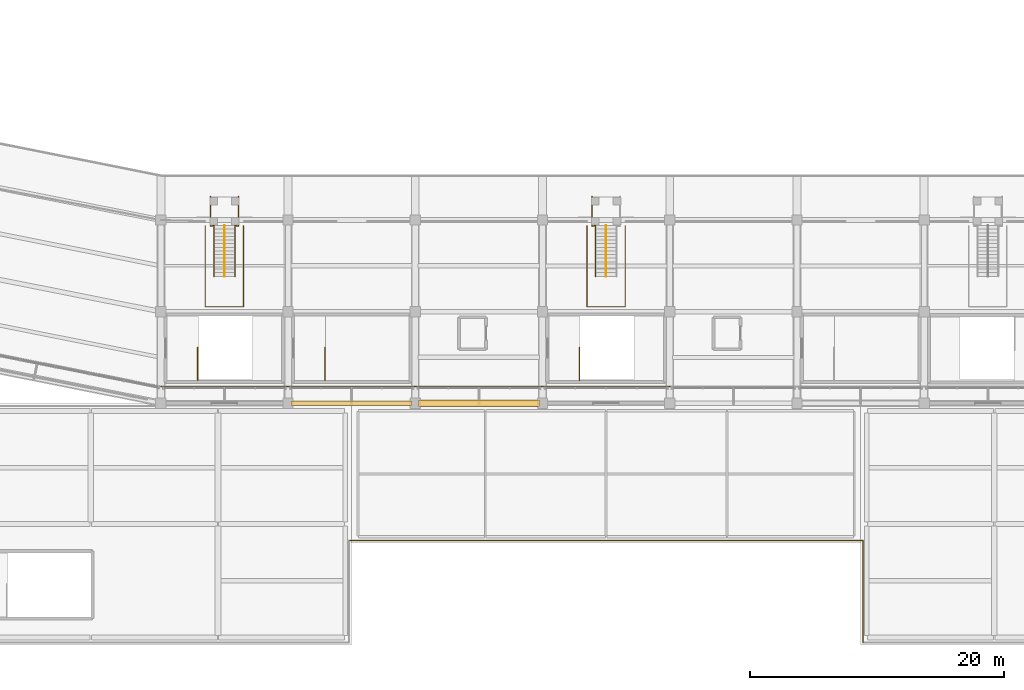
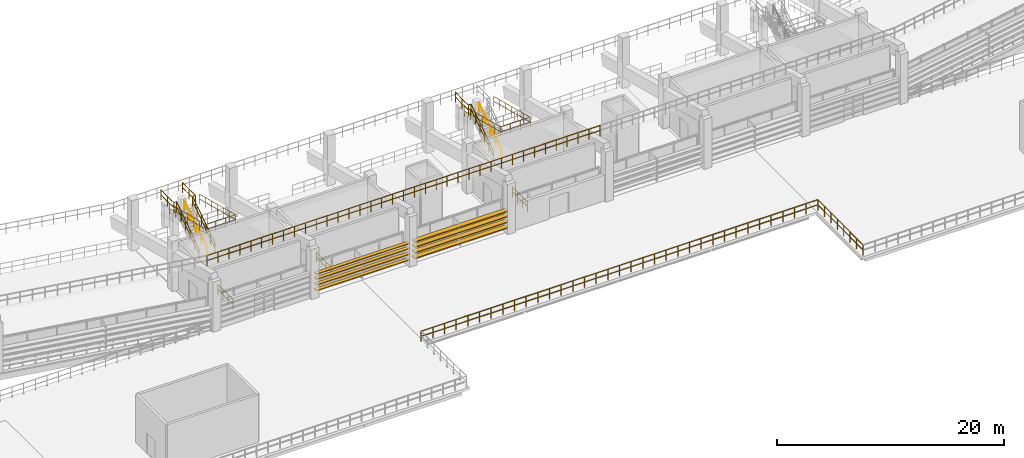
# One storey, part 79 of 96: 16 railings, 8 shading devices.
"""IFC4 building model written with IfcOpenShell, lengths in metres."""

import ifcopenshell
import ifcopenshell.guid

model = None  # the IFC model being written
_history = None  # IfcOwnerHistory: only IFC2X3 demands one
_inside = {}  # id of a spatial element -> (the spatial element, [elements in it])
_under = {}  # id of a project, library or spatial element -> (it, [spatial elements below it])
_declared = {}  # id of a project -> (the project, [libraries it declares])
_typed = {}  # id of a type object -> (the type object, [elements of that type])
_made_of = {}  # id of a material, layer set ... -> (it, [elements and type objects made of it])


def new_model(schema):
    """Start an empty IFC model of exactly this schema.

    Asked for "IFC4X3", IfcOpenShell would pick the latest addendum, in which some entities
    have other attributes; the version numbers below select the first issue.
    IFC2X3 requires an IfcOwnerHistory on every rooted entity: one is made here for all.
    """
    global model, _history
    if schema == "IFC4X3":
        model = ifcopenshell.file(schema_version=(4, 3, 0, 0))
    else:
        model = ifcopenshell.file(schema=schema)
    _inside.clear()
    _under.clear()
    _declared.clear()
    _typed.clear()
    _made_of.clear()
    _history = None
    if model.schema == "IFC2X3":
        org = make("IfcOrganization", Name="unknown")
        user = make(
            "IfcPersonAndOrganization",
            ThePerson=make("IfcPerson", FamilyName="unknown"),
            TheOrganization=org,
        )
        app = make(
            "IfcApplication",
            ApplicationDeveloper=org,
            Version="unknown",
            ApplicationFullName="unknown",
            ApplicationIdentifier="unknown",
        )
        _history = make(
            "IfcOwnerHistory",
            OwningUser=user,
            OwningApplication=app,
            ChangeAction="ADDED",
            CreationDate=0,
        )
    return model


def make(cls, **values):
    """One entity of the class cls with the attributes given. An attribute that is None is left unset."""
    return model.create_entity(
        cls, **{name: value for name, value in values.items() if value is not None}
    )


def rooted(cls, **values):
    """An entity with a GlobalId (a new one), such as an element, a storey or a relation."""
    return make(cls, GlobalId=ifcopenshell.guid.new(), OwnerHistory=_history, **values)


def si_unit(unit_type, name, prefix=None):
    """IfcSIUnit, for example si_unit("LENGTHUNIT", "METRE", prefix="MILLI")."""
    return make("IfcSIUnit", UnitType=unit_type, Prefix=prefix, Name=name)


def assignment(units):
    """IfcUnitAssignment: the units of a project."""
    return None if units is None else make("IfcUnitAssignment", Units=units)


def point(xyz):
    """IfcCartesianPoint."""
    return None if xyz is None else make("IfcCartesianPoint", Coordinates=xyz)


def direction(xyz):
    """IfcDirection."""
    return None if xyz is None else make("IfcDirection", DirectionRatios=xyz)


def frame(location, z_axis=None, x_axis=None):
    """IfcAxis2Placement3D, a coordinate frame: its origin and axes. An axis left out is left unset."""
    return make(
        "IfcAxis2Placement3D",
        Location=point(location),
        Axis=direction(z_axis),
        RefDirection=direction(x_axis),
    )


def frame_2d(location, x_axis=None):
    """IfcAxis2Placement2D, a coordinate frame in the plane: its origin and x axis."""
    return make(
        "IfcAxis2Placement2D", Location=point(location), RefDirection=direction(x_axis)
    )


def origin():
    """The frame at (0, 0, 0) with its axes left unset."""
    return frame((0.0, 0.0, 0.0))


def origin_2d():
    """The frame at (0, 0) in the plane with its x axis left unset."""
    return frame_2d((0.0, 0.0))


def place(relative_to, where):
    """IfcLocalPlacement: puts the frame where relative to a parent placement (None: the world)."""
    return make(
        "IfcLocalPlacement", PlacementRelTo=relative_to, RelativePlacement=where
    )


def context(
    kind, dimensions, precision=None, world=None, true_north=None, identifier=None
):
    """IfcGeometricRepresentationContext, for example the 3D "Model" context."""
    return make(
        "IfcGeometricRepresentationContext",
        ContextIdentifier=identifier,
        ContextType=kind,
        CoordinateSpaceDimension=dimensions,
        Precision=precision,
        WorldCoordinateSystem=world,
        TrueNorth=true_north,
    )


def subcontext(parent, identifier, kind, view, scale=None):
    """IfcGeometricRepresentationSubContext, for example "Body" below "Model"."""
    return make(
        "IfcGeometricRepresentationSubContext",
        ContextIdentifier=identifier,
        ContextType=kind,
        ParentContext=parent,
        TargetScale=scale,
        TargetView=view,
    )


def project(units=None, contexts=None):
    """IfcProject with its units and contexts."""
    return rooted(
        "IfcProject",
        Name="project",
        RepresentationContexts=contexts,
        UnitsInContext=assignment(units),
    )


def spatial(cls, under=None, at=None, **own):
    """A site, building, storey or space (cls), placed at a placement, below another one or the project."""
    s = rooted(cls, ObjectPlacement=at, **own)
    if under is not None:
        _under.setdefault(under.id(), (under, []))[1].append(s)
    return s


def profile(cls, at=None, kind="AREA", **sizes):
    """A parametric profile (cls). Its sizes go by their IFC names, for example OverallWidth=200.0."""
    return make(cls, ProfileType=kind, Position=at, **sizes)


def rectangle(**sizes):
    """IfcRectangleProfileDef."""
    return profile("IfcRectangleProfileDef", **sizes)


def circle(**sizes):
    """IfcCircleProfileDef."""
    return profile("IfcCircleProfileDef", **sizes)


def extrude(swept, where, along, depth):
    """IfcExtrudedAreaSolid: the profile swept, set in the frame where, extruded along a direction by depth."""
    return make(
        "IfcExtrudedAreaSolid",
        SweptArea=swept,
        Position=where,
        ExtrudedDirection=direction(along),
        Depth=depth,
    )


def shape(context_of_items, identifier, shape_type, items):
    """IfcShapeRepresentation: the items that make up one representation, for example the "Body"."""
    return make(
        "IfcShapeRepresentation",
        ContextOfItems=context_of_items,
        RepresentationIdentifier=identifier,
        RepresentationType=shape_type,
        Items=items,
    )


def material(Name=None, Category=None):
    """IfcMaterial."""
    return make("IfcMaterial", Name=Name, Category=Category)


def layer(
    of_material, thickness, ventilated=None, Name=None, Category=None, Priority=None
):
    """IfcMaterialLayer: one layer of a wall or slab, of a material (None: an air gap)."""
    return make(
        "IfcMaterialLayer",
        Material=of_material,
        LayerThickness=thickness,
        IsVentilated=ventilated,
        Name=Name,
        Category=Category,
        Priority=Priority,
    )


def layer_set(layers, Name=None):
    """IfcMaterialLayerSet."""
    return make("IfcMaterialLayerSet", MaterialLayers=layers, LayerSetName=Name)


def made_of(thing, what):
    """Note that an element or type object is made of a material, layer set ...; save() writes the relation."""
    if what is not None:
        _made_of.setdefault(what.id(), (what, []))[1].append(thing)
    return thing


def type_object(cls, material=None, **own):
    """A type object (cls), such as IfcWallType, which elements share."""
    return made_of(rooted(cls, **own), material)


def element(
    cls,
    number,
    at=None,
    inside=None,
    cuts=None,
    type_object=None,
    material=None,
    context=None,
    identifier="Body",
    shape_type=None,
    held_by="IfcProductDefinitionShape",
    body=None,
    shapes=None,
    **own,
):
    """One element of the class cls, such as IfcWall. Its Tag is "e" and its number.

    at: its placement. inside: the storey or other place that contains it. cuts: it is an
    opening in that element (IfcRelVoidsElement). A single representation is given by context,
    identifier, shape_type and body (its items); several are given by shapes. held_by: the class
    of the entity that holds the representations. save() writes the other relations.
    """
    e = rooted(cls, Tag="e%d" % number, ObjectPlacement=at, **own)
    if body is not None:
        shapes = [shape(context, identifier, shape_type, body)]
    if shapes is not None:
        e.Representation = make(held_by, Representations=shapes)
    if inside is not None:
        _inside.setdefault(inside.id(), (inside, []))[1].append(e)
    if cuts is not None:
        rooted(
            "IfcRelVoidsElement", RelatingBuildingElement=cuts, RelatedOpeningElement=e
        )
    if type_object is not None:
        _typed.setdefault(type_object.id(), (type_object, []))[1].append(e)
    return made_of(e, material)


def aggregate(whole, parts):
    """IfcRelAggregates: a whole, such as a stair, and the parts it consists of."""
    return rooted("IfcRelAggregates", RelatingObject=whole, RelatedObjects=parts)


def save(model, path):
    """Write the relations noted so far, then the file.

    IfcRelAggregates (storeys below a building ...), IfcRelContainedInSpatialStructure (elements
    in a storey), IfcRelDefinesByType, IfcRelAssociatesMaterial and IfcRelDeclares: one each for
    every whole, place, type object, material and project.
    """
    for whole, parts in _under.values():
        aggregate(whole, parts)
    for where, things in _inside.values():
        rooted(
            "IfcRelContainedInSpatialStructure",
            RelatedElements=things,
            RelatingStructure=where,
        )
    for kind, things in _typed.values():
        rooted("IfcRelDefinesByType", RelatedObjects=things, RelatingType=kind)
    for what, things in _made_of.values():
        rooted("IfcRelAssociatesMaterial", RelatedObjects=things, RelatingMaterial=what)
    for by, libraries in _declared.values():
        rooted("IfcRelDeclares", RelatingContext=by, RelatedDefinitions=libraries)
    model.write(path)


model = new_model("IFC4")

# Units and contexts
model_context = context("Model", 3, precision=1e-05, world=origin(), true_north=direction((0.0, 1.0)))
body_context = subcontext(model_context, "Body", "Model", "MODEL_VIEW")
ifc_project = project(units=[si_unit("LENGTHUNIT", "METRE"), si_unit("AREAUNIT", "SQUARE_METRE"), si_unit("VOLUMEUNIT", "CUBIC_METRE"), si_unit("PLANEANGLEUNIT", "RADIAN"), si_unit("MASSUNIT", "GRAM", prefix="KILO")], contexts=[model_context])

# Site, building, storey
site_placement = place(None, origin())
site = spatial("IfcSite", under=ifc_project, at=site_placement, CompositionType="ELEMENT")
building_placement = place(site_placement, origin())
building = spatial("IfcBuilding", under=site, at=building_placement, Name="Candeia Ridge Stadium", CompositionType="ELEMENT")
storey_placement = place(building_placement, frame((0.0, 0.0, 21.60009765625)))
storey = spatial("IfcBuildingStorey", under=building, at=storey_placement, Name="L04", CompositionType="ELEMENT", Elevation=21.60009765625)

# Railings
ifc_material_1 = material(Name="Laminated Glass & Stainless Steel", Category="steel")
ifc_layer_1 = layer(ifc_material_1, 0.080078125, Name="Laminated Glass & Stainless Steel", Category="steel")
ifc_layer_set_1 = layer_set([ifc_layer_1], Name="Laminated Glass & Stainless Steel")
railing_type_1 = type_object("IfcRailingType", Name="Planted Terrace Glass-Steel Guard 1150", PredefinedType="BALUSTRADE", material=ifc_layer_set_1)
railing_1_placement = place(storey_placement, frame((85.800048828125, 8.199951171875, 0.0)))
element("IfcRailing", 1, at=railing_1_placement, inside=storey, type_object=railing_type_1, Name="Terrace perimeter balustrade GR-TER-203", PredefinedType="BALUSTRADE", context=body_context, shape_type="SweptSolid", body=[
    extrude(circle(Radius=0.02392578125, at=origin_2d()), frame((0.0, 0.0, 1.1259765625), z_axis=(1.0, 0.0, 0.0), x_axis=(0.0, 1.0, 0.0)), (0.0, 0.0, 1.0), 40.39990234375),
    extrude(circle(Radius=0.02392578125, at=origin_2d()), frame((0.0, 0.0, 0.574951171875), z_axis=(1.0, 0.0, 0.0), x_axis=(0.0, 1.0, 0.0)), (0.0, 0.0, 1.0), 40.39990234375),
    extrude(circle(Radius=0.02099609375, at=origin_2d()), origin(), (0.0, 0.0, 1.0), 1.101806640625),
    extrude(circle(Radius=0.02099609375, at=origin_2d()), frame((1.188232421875, 0.0, 0.0)), (0.0, 0.0, 1.0), 1.101806640625),
    extrude(circle(Radius=0.02099609375, at=origin_2d()), frame((2.37646484375, 0.0, 0.0)), (0.0, 0.0, 1.0), 1.101806640625),
    extrude(circle(Radius=0.02099609375, at=origin_2d()), frame((3.564697265625, 0.0, 0.0)), (0.0, 0.0, 1.0), 1.101806640625),
    extrude(circle(Radius=0.02099609375, at=origin_2d()), frame((4.7529296875, 0.0, 0.0)), (0.0, 0.0, 1.0), 1.101806640625),
    extrude(circle(Radius=0.02099609375, at=origin_2d()), frame((5.941162109375, 0.0, 0.0)), (0.0, 0.0, 1.0), 1.101806640625),
    extrude(circle(Radius=0.02099609375, at=origin_2d()), frame((7.12939453125, 0.0, 0.0)), (0.0, 0.0, 1.0), 1.101806640625),
    extrude(circle(Radius=0.02099609375, at=origin_2d()), frame((8.317626953125, 0.0, 0.0)), (0.0, 0.0, 1.0), 1.101806640625),
    extrude(circle(Radius=0.02099609375, at=origin_2d()), frame((9.505859375, 0.0, 0.0)), (0.0, 0.0, 1.0), 1.101806640625),
    extrude(circle(Radius=0.02099609375, at=origin_2d()), frame((10.694091796875, 0.0, 0.0)), (0.0, 0.0, 1.0), 1.101806640625),
    extrude(circle(Radius=0.02099609375, at=origin_2d()), frame((11.88232421875, 0.0, 0.0)), (0.0, 0.0, 1.0), 1.101806640625),
    extrude(circle(Radius=0.02099609375, at=origin_2d()), frame((13.070556640625, 0.0, 0.0)), (0.0, 0.0, 1.0), 1.101806640625),
    extrude(circle(Radius=0.02099609375, at=origin_2d()), frame((14.2587890625, 0.0, 0.0)), (0.0, 0.0, 1.0), 1.101806640625),
    extrude(circle(Radius=0.02099609375, at=origin_2d()), frame((15.447021484375, 0.0, 0.0)), (0.0, 0.0, 1.0), 1.101806640625),
    extrude(circle(Radius=0.02099609375, at=origin_2d()), frame((16.63525390625, 0.0, 0.0)), (0.0, 0.0, 1.0), 1.101806640625),
    extrude(circle(Radius=0.02099609375, at=origin_2d()), frame((17.823486328125, 0.0, 0.0)), (0.0, 0.0, 1.0), 1.101806640625),
    extrude(circle(Radius=0.02099609375, at=origin_2d()), frame((19.01171875, 0.0, 0.0)), (0.0, 0.0, 1.0), 1.101806640625),
    extrude(circle(Radius=0.02099609375, at=origin_2d()), frame((20.199951171875, 0.0, 0.0)), (0.0, 0.0, 1.0), 1.101806640625),
    extrude(circle(Radius=0.02099609375, at=origin_2d()), frame((21.38818359375, 0.0, 0.0)), (0.0, 0.0, 1.0), 1.101806640625),
    extrude(circle(Radius=0.02099609375, at=origin_2d()), frame((22.576416015625, 0.0, 0.0)), (0.0, 0.0, 1.0), 1.101806640625),
    extrude(circle(Radius=0.02099609375, at=origin_2d()), frame((23.7646484375, 0.0, 0.0)), (0.0, 0.0, 1.0), 1.101806640625),
    extrude(circle(Radius=0.02099609375, at=origin_2d()), frame((24.952880859375, 0.0, 0.0)), (0.0, 0.0, 1.0), 1.101806640625),
    extrude(circle(Radius=0.02099609375, at=origin_2d()), frame((26.14111328125, 0.0, 0.0)), (0.0, 0.0, 1.0), 1.101806640625),
    extrude(circle(Radius=0.02099609375, at=origin_2d()), frame((27.329345703125, 0.0, 0.0)), (0.0, 0.0, 1.0), 1.101806640625),
    extrude(circle(Radius=0.02099609375, at=origin_2d()), frame((28.517578125, 0.0, 0.0)), (0.0, 0.0, 1.0), 1.101806640625),
    extrude(circle(Radius=0.02099609375, at=origin_2d()), frame((29.705810546875, 0.0, 0.0)), (0.0, 0.0, 1.0), 1.101806640625),
    extrude(circle(Radius=0.02099609375, at=origin_2d()), frame((30.89404296875, 0.0, 0.0)), (0.0, 0.0, 1.0), 1.101806640625),
    extrude(circle(Radius=0.02099609375, at=origin_2d()), frame((32.082275390625, 0.0, 0.0)), (0.0, 0.0, 1.0), 1.101806640625),
    extrude(circle(Radius=0.02099609375, at=origin_2d()), frame((33.2705078125, 0.0, 0.0)), (0.0, 0.0, 1.0), 1.101806640625),
    extrude(circle(Radius=0.02099609375, at=origin_2d()), frame((34.458740234375, 0.0, 0.0)), (0.0, 0.0, 1.0), 1.101806640625),
    extrude(circle(Radius=0.02099609375, at=origin_2d()), frame((35.64697265625, 0.0, 0.0)), (0.0, 0.0, 1.0), 1.101806640625),
    extrude(circle(Radius=0.02099609375, at=origin_2d()), frame((36.835205078125, 0.0, 0.0)), (0.0, 0.0, 1.0), 1.101806640625),
    extrude(circle(Radius=0.02099609375, at=origin_2d()), frame((38.0234375, 0.0, 0.0)), (0.0, 0.0, 1.0), 1.101806640625),
    extrude(circle(Radius=0.02099609375, at=origin_2d()), frame((39.211669921875, 0.0, 0.0)), (0.0, 0.0, 1.0), 1.101806640625),
    extrude(circle(Radius=0.02099609375, at=origin_2d()), frame((40.39990234375, 0.0, 0.0)), (0.0, 0.0, 1.0), 1.101806640625),
])
railing_2_placement = place(storey_placement, frame((126.199951171875, 8.199951171875, 0.0)))
element("IfcRailing", 2, at=railing_2_placement, inside=storey, type_object=railing_type_1, Name="Terrace perimeter balustrade GR-TER-204", PredefinedType="BALUSTRADE", context=body_context, shape_type="SweptSolid", body=[
    extrude(circle(Radius=0.02392578125, at=origin_2d()), frame((0.0, 0.0, 1.1259765625), z_axis=(0.0, -1.0, 0.0), x_axis=(1.0, 0.0, 0.0)), (0.0, 0.0, 1.0), 8.0),
    extrude(circle(Radius=0.02392578125, at=origin_2d()), frame((0.0, 0.0, 0.574951171875), z_axis=(0.0, -1.0, 0.0), x_axis=(1.0, 0.0, 0.0)), (0.0, 0.0, 1.0), 8.0),
    extrude(circle(Radius=0.02099609375, at=origin_2d()), origin(), (0.0, 0.0, 1.0), 1.101806640625),
    extrude(circle(Radius=0.02099609375, at=origin_2d()), frame((0.0, -1.142822265625, 0.0)), (0.0, 0.0, 1.0), 1.101806640625),
    extrude(circle(Radius=0.02099609375, at=origin_2d()), frame((0.0, -2.28564453125, 0.0)), (0.0, 0.0, 1.0), 1.101806640625),
    extrude(circle(Radius=0.02099609375, at=origin_2d()), frame((0.0, -3.428466796875, 0.0)), (0.0, 0.0, 1.0), 1.101806640625),
    extrude(circle(Radius=0.02099609375, at=origin_2d()), frame((0.0, -4.571533203125, 0.0)), (0.0, 0.0, 1.0), 1.101806640625),
    extrude(circle(Radius=0.02099609375, at=origin_2d()), frame((0.0, -5.71435546875, 0.0)), (0.0, 0.0, 1.0), 1.101806640625),
    extrude(circle(Radius=0.02099609375, at=origin_2d()), frame((0.0, -6.857177734375, 0.0)), (0.0, 0.0, 1.0), 1.101806640625),
    extrude(circle(Radius=0.02099609375, at=origin_2d()), frame((0.0, -8.0, 0.0)), (0.0, 0.0, 1.0), 1.101806640625),
])
ifc_material_2 = material(Name="Galvanized Powder-Coated Steel", Category="steel")
ifc_layer_2 = layer(ifc_material_2, 0.074951171875, Name="Galvanized Powder-Coated Steel", Category="steel")
ifc_layer_set_2 = layer_set([ifc_layer_2], Name="Galvanized Powder-Coated Steel")
railing_type_2 = type_object("IfcRailingType", Name="Spectator Bowl Front Guardrail 1120", PredefinedType="GUARDRAIL", material=ifc_layer_set_2)
for number, where, name in (
    (3, (71.0, 20.320068359375, 6.0), "Stand T3 rear safety guardrail bay 19"),
    (4, (81.0, 20.320068359375, 6.0), "Stand T3 rear safety guardrail bay 20"),
    (5, (91.0, 20.320068359375, 6.0), "Stand T3 rear safety guardrail bay 21"),
    (6, (101.0, 20.320068359375, 6.0), "Stand T3 rear safety guardrail bay 22"),
):
    element("IfcRailing", number, at=place(storey_placement, frame(where)), inside=storey, type_object=railing_type_2, Name=name, PredefinedType="GUARDRAIL", context=body_context, shape_type="SweptSolid", body=[
        extrude(circle(Radius=0.02392578125, at=origin_2d()), frame((0.0, 0.0, 1.09619140625), z_axis=(1.0, 0.0, 0.0), x_axis=(0.0, 1.0, 0.0)), (0.0, 0.0, 1.0), 10.0),
        extrude(circle(Radius=0.02392578125, at=origin_2d()), frame((0.0, 0.0, 0.56005859375), z_axis=(1.0, 0.0, 0.0), x_axis=(0.0, 1.0, 0.0)), (0.0, 0.0, 1.0), 10.0),
        extrude(circle(Radius=0.02099609375, at=origin_2d()), origin(), (0.0, 0.0, 1.0), 1.072021484375),
        extrude(circle(Radius=0.02099609375, at=origin_2d()), frame((1.111083984375, 0.0, 0.0)), (0.0, 0.0, 1.0), 1.072021484375),
        extrude(circle(Radius=0.02099609375, at=origin_2d()), frame((2.22216796875, 0.0, 0.0)), (0.0, 0.0, 1.0), 1.072021484375),
        extrude(circle(Radius=0.02099609375, at=origin_2d()), frame((3.333251953125, 0.0, 0.0)), (0.0, 0.0, 1.0), 1.072021484375),
        extrude(circle(Radius=0.02099609375, at=origin_2d()), frame((4.4443359375, 0.0, 0.0)), (0.0, 0.0, 1.0), 1.072021484375),
        extrude(circle(Radius=0.02099609375, at=origin_2d()), frame((5.5556640625, 0.0, 0.0)), (0.0, 0.0, 1.0), 1.072021484375),
        extrude(circle(Radius=0.02099609375, at=origin_2d()), frame((6.666748046875, 0.0, 0.0)), (0.0, 0.0, 1.0), 1.072021484375),
        extrude(circle(Radius=0.02099609375, at=origin_2d()), frame((7.77783203125, 0.0, 0.0)), (0.0, 0.0, 1.0), 1.072021484375),
        extrude(circle(Radius=0.02099609375, at=origin_2d()), frame((8.888916015625, 0.0, 0.0)), (0.0, 0.0, 1.0), 1.072021484375),
        extrude(circle(Radius=0.02099609375, at=origin_2d()), frame((10.0, 0.0, 0.0)), (0.0, 0.0, 1.0), 1.072021484375),
    ])
ifc_material_3 = material(Name="Brushed Stainless Steel", Category="steel")
ifc_layer_3 = layer(ifc_material_3, 0.048095703125, Name="Brushed Stainless Steel", Category="steel")
ifc_layer_set_3 = layer_set([ifc_layer_3], Name="Brushed Stainless Steel")
railing_type_3 = type_object("IfcRailingType", Name="Stair Wall & Flight Handrail 900", PredefinedType="HANDRAIL", material=ifc_layer_set_3)
for number, where, name in (
    (7, (76.0, 28.97802734375, 0.179443359375), "Vomitory stair handrail VS31"),
    (8, (106.0, 28.97802734375, 0.179443359375), "Vomitory stair handrail VS32"),
):
    element("IfcRailing", number, at=place(storey_placement, frame(where)), inside=storey, type_object=railing_type_3, Name=name, PredefinedType="HANDRAIL", context=body_context, shape_type="SweptSolid", body=[
        extrude(circle(Radius=0.02392578125, at=origin_2d()), frame((0.0, 0.0, 0.8759765625), z_axis=(0.0, 0.846023572205, 0.533145491656), x_axis=(-1.0, 0.0, 0.0)), (0.0, 0.0, 1.0), 4.716064453125),
        extrude(circle(Radius=0.02099609375, at=origin_2d()), origin(), (0.0, 0.0, 1.0), 0.851806640625),
        extrude(circle(Radius=0.02099609375, at=origin_2d()), frame((0.0, 0.99755859375, 0.628662109375)), (0.0, 0.0, 1.0), 0.851806640625),
        extrude(circle(Radius=0.02099609375, at=origin_2d()), frame((0.0, 1.9951171875, 1.25732421875)), (0.0, 0.0, 1.0), 0.851806640625),
        extrude(circle(Radius=0.02099609375, at=origin_2d()), frame((0.0, 2.992431640625, 1.8857421875)), (0.0, 0.0, 1.0), 0.851806640625),
        extrude(circle(Radius=0.02099609375, at=origin_2d()), frame((0.0, 3.989990234375, 2.514404296875)), (0.0, 0.0, 1.0), 0.851806640625),
    ])
ifc_layer_4 = layer(ifc_material_2, 0.06005859375, Name="Galvanized Powder-Coated Steel", Category="steel")
ifc_layer_set_4 = layer_set([ifc_layer_4], Name="Galvanized Powder-Coated Steel")
railing_type_4 = type_object("IfcRailingType", Name="Stair Well Guardrail 1100", PredefinedType="GUARDRAIL", material=ifc_layer_set_4)
for number, where, name in (
    (9, (73.89990234375, 20.800048828125, 0.0), "L04 ST02 top well guard 1"),
    (10, (83.89990234375, 20.800048828125, 0.0), "L04 ST11 top well guard 1"),
    (11, (103.89990234375, 20.800048828125, 0.0), "L04 ST18 top well guard 1"),
):
    element("IfcRailing", number, at=place(storey_placement, frame(where)), inside=storey, type_object=railing_type_4, Name=name, PredefinedType="GUARDRAIL", context=body_context, shape_type="SweptSolid", body=[
        extrude(circle(Radius=0.02392578125, at=origin_2d()), frame((0.0, 0.0, 1.076171875), z_axis=(0.0, 1.0, 0.0), x_axis=(-1.0, 0.0, 0.0)), (0.0, 0.0, 1.0), 2.599853515625),
        extrude(circle(Radius=0.02392578125, at=origin_2d()), frame((0.0, 0.0, 0.550048828125), z_axis=(0.0, 1.0, 0.0), x_axis=(-1.0, 0.0, 0.0)), (0.0, 0.0, 1.0), 2.599853515625),
        extrude(circle(Radius=0.02099609375, at=origin_2d()), origin(), (0.0, 0.0, 1.0), 1.052001953125),
        extrude(circle(Radius=0.02099609375, at=origin_2d()), frame((0.0, 0.86669921875, 0.0)), (0.0, 0.0, 1.0), 1.052001953125),
        extrude(circle(Radius=0.02099609375, at=origin_2d()), frame((0.0, 1.733154296875, 0.0)), (0.0, 0.0, 1.0), 1.052001953125),
        extrude(circle(Radius=0.02099609375, at=origin_2d()), frame((0.0, 2.599853515625, 0.0)), (0.0, 0.0, 1.0), 1.052001953125),
    ])
ifc_layer_5 = layer(ifc_material_2, 0.070068359375, Name="Galvanized Powder-Coated Steel", Category="steel")
ifc_layer_set_5 = layer_set([ifc_layer_5], Name="Galvanized Powder-Coated Steel")
railing_type_5 = type_object("IfcRailingType", Name="Vomitory Portal Guardrail 1100", PredefinedType="GUARDRAIL", material=ifc_layer_set_5)
railing_3_placement = place(storey_placement, frame((74.5, 32.968017578125, 2.69384765625)))
element("IfcRailing", 12, at=railing_3_placement, inside=storey, type_object=railing_type_5, Name="Vomitory portal guardrail VS31", PredefinedType="GUARDRAIL", context=body_context, shape_type="SweptSolid", body=[
    extrude(circle(Radius=0.02392578125, at=origin_2d()), frame((0.0, 0.0, 1.076171875), z_axis=(0.0, -0.9680721346, 0.250671781842), x_axis=(1.0, 0.0, 0.0)), (0.0, 0.0, 1.0), 6.594482421875),
    extrude(circle(Radius=0.02392578125, at=origin_2d()), frame((0.0, 0.0, 0.550048828125), z_axis=(0.0, -0.9680721346, 0.250671781842), x_axis=(1.0, 0.0, 0.0)), (0.0, 0.0, 1.0), 6.594482421875),
    extrude(circle(Radius=0.02392578125, at=origin_2d()), frame((0.0, -6.384033203125, 2.72900390625), z_axis=(1.0, 0.0, 0.0), x_axis=(0.0, 1.0, 0.0)), (0.0, 0.0, 1.0), 3.0),
    extrude(circle(Radius=0.02392578125, at=origin_2d()), frame((0.0, -6.384033203125, 2.203125), z_axis=(1.0, 0.0, 0.0), x_axis=(0.0, 1.0, 0.0)), (0.0, 0.0, 1.0), 3.0),
    extrude(circle(Radius=0.02392578125, at=origin_2d()), frame((3.0, -6.384033203125, 2.72900390625), z_axis=(0.0, 0.9680721346, -0.250671781842), x_axis=(-1.0, 0.0, 0.0)), (0.0, 0.0, 1.0), 6.594482421875),
    extrude(circle(Radius=0.02392578125, at=origin_2d()), frame((3.0, -6.384033203125, 2.203125), z_axis=(0.0, 0.9680721346, -0.250671781842), x_axis=(-1.0, 0.0, 0.0)), (0.0, 0.0, 1.0), 6.594482421875),
    extrude(circle(Radius=0.02099609375, at=origin_2d()), origin(), (0.0, 0.0, 1.0), 1.052001953125),
    extrude(circle(Radius=0.02099609375, at=origin_2d()), frame((0.0, -1.06396484375, 0.275390625)), (0.0, 0.0, 1.0), 1.052001953125),
    extrude(circle(Radius=0.02099609375, at=origin_2d()), frame((0.0, -2.1279296875, 0.551025390625)), (0.0, 0.0, 1.0), 1.052001953125),
    extrude(circle(Radius=0.02099609375, at=origin_2d()), frame((0.0, -3.19189453125, 0.82666015625)), (0.0, 0.0, 1.0), 1.052001953125),
    extrude(circle(Radius=0.02099609375, at=origin_2d()), frame((0.0, -4.256103515625, 1.10205078125)), (0.0, 0.0, 1.0), 1.052001953125),
    extrude(circle(Radius=0.02099609375, at=origin_2d()), frame((0.0, -5.320068359375, 1.37744140625)), (0.0, 0.0, 1.0), 1.052001953125),
    extrude(circle(Radius=0.02099609375, at=origin_2d()), frame((0.0, -6.384033203125, 1.653076171875)), (0.0, 0.0, 1.0), 1.052001953125),
    extrude(circle(Radius=0.02099609375, at=origin_2d()), frame((1.0, -6.384033203125, 1.653076171875)), (0.0, 0.0, 1.0), 1.052001953125),
    extrude(circle(Radius=0.02099609375, at=origin_2d()), frame((2.0, -6.384033203125, 1.653076171875)), (0.0, 0.0, 1.0), 1.052001953125),
    extrude(circle(Radius=0.02099609375, at=origin_2d()), frame((3.0, -6.384033203125, 1.653076171875)), (0.0, 0.0, 1.0), 1.052001953125),
    extrude(circle(Radius=0.02099609375, at=origin_2d()), frame((3.0, -5.320068359375, 1.37744140625)), (0.0, 0.0, 1.0), 1.052001953125),
    extrude(circle(Radius=0.02099609375, at=origin_2d()), frame((3.0, -4.256103515625, 1.10205078125)), (0.0, 0.0, 1.0), 1.052001953125),
    extrude(circle(Radius=0.02099609375, at=origin_2d()), frame((3.0, -3.19189453125, 0.82666015625)), (0.0, 0.0, 1.0), 1.052001953125),
    extrude(circle(Radius=0.02099609375, at=origin_2d()), frame((3.0, -2.1279296875, 0.551025390625)), (0.0, 0.0, 1.0), 1.052001953125),
    extrude(circle(Radius=0.02099609375, at=origin_2d()), frame((3.0, -1.06396484375, 0.275390625)), (0.0, 0.0, 1.0), 1.052001953125),
    extrude(circle(Radius=0.02099609375, at=origin_2d()), frame((3.0, 0.0, 0.0)), (0.0, 0.0, 1.0), 1.052001953125),
])
railing_4_placement = place(storey_placement, frame((75.179931640625, 28.97802734375, 0.0)))
element("IfcRailing", 13, at=railing_4_placement, inside=storey, type_object=railing_type_5, Name="Vomitory stair & landing side guardrail VS31-L", PredefinedType="GUARDRAIL", context=body_context, shape_type="SweptSolid", body=[
    extrude(circle(Radius=0.02392578125, at=origin_2d()), frame((0.0, 0.0, 1.076171875), z_axis=(0.0, 0.828790466984, 0.559559078058), x_axis=(-1.0, 0.0, 0.0)), (0.0, 0.0, 1.0), 4.814208984375),
    extrude(circle(Radius=0.02392578125, at=origin_2d()), frame((0.0, 0.0, 0.550048828125), z_axis=(0.0, 0.828790466984, 0.559559078058), x_axis=(-1.0, 0.0, 0.0)), (0.0, 0.0, 1.0), 4.814208984375),
    extrude(circle(Radius=0.02392578125, at=origin_2d()), frame((0.0, 3.989990234375, 3.77001953125), z_axis=(-0.989932225045, -0.141542183877, 0.0), x_axis=(0.141542183877, -0.989932225045, 0.0)), (0.0, 0.0, 1.0), 0.282958984375),
    extrude(circle(Radius=0.02392578125, at=origin_2d()), frame((0.0, 3.989990234375, 3.243896484375), z_axis=(-0.989932225045, -0.141542183877, 0.0), x_axis=(0.141542183877, -0.989932225045, 0.0)), (0.0, 0.0, 1.0), 0.282958984375),
    extrude(circle(Radius=0.02392578125, at=origin_2d()), frame((-0.280029296875, 3.949951171875, 3.77001953125), z_axis=(0.0, 1.0, 0.0), x_axis=(-1.0, 0.0, 0.0)), (0.0, 0.0, 1.0), 2.320068359375),
    extrude(circle(Radius=0.02392578125, at=origin_2d()), frame((-0.280029296875, 3.949951171875, 3.243896484375), z_axis=(0.0, 1.0, 0.0), x_axis=(-1.0, 0.0, 0.0)), (0.0, 0.0, 1.0), 2.320068359375),
    extrude(circle(Radius=0.02099609375, at=origin_2d()), origin(), (0.0, 0.0, 1.0), 1.052001953125),
    extrude(circle(Radius=0.02099609375, at=origin_2d()), frame((0.0, 0.798095703125, 0.538818359375)), (0.0, 0.0, 1.0), 1.052001953125),
    extrude(circle(Radius=0.02099609375, at=origin_2d()), frame((0.0, 1.595947265625, 1.07763671875)), (0.0, 0.0, 1.0), 1.052001953125),
    extrude(circle(Radius=0.02099609375, at=origin_2d()), frame((0.0, 2.39404296875, 1.6162109375)), (0.0, 0.0, 1.0), 1.052001953125),
    extrude(circle(Radius=0.02099609375, at=origin_2d()), frame((0.0, 3.19189453125, 2.155029296875)), (0.0, 0.0, 1.0), 1.052001953125),
    extrude(circle(Radius=0.02099609375, at=origin_2d()), frame((0.0, 3.989990234375, 2.69384765625)), (0.0, 0.0, 1.0), 1.052001953125),
    extrude(circle(Radius=0.02099609375, at=origin_2d()), frame((-0.280029296875, 3.949951171875, 2.69384765625)), (0.0, 0.0, 1.0), 1.052001953125),
    extrude(circle(Radius=0.02099609375, at=origin_2d()), frame((-0.280029296875, 5.10986328125, 2.69384765625)), (0.0, 0.0, 1.0), 1.052001953125),
    extrude(circle(Radius=0.02099609375, at=origin_2d()), frame((-0.280029296875, 6.27001953125, 2.69384765625)), (0.0, 0.0, 1.0), 1.052001953125),
])
railing_5_placement = place(storey_placement, frame((76.820068359375, 28.97802734375, 0.0)))
element("IfcRailing", 14, at=railing_5_placement, inside=storey, type_object=railing_type_5, Name="Vomitory stair & landing side guardrail VS31-R", PredefinedType="GUARDRAIL", context=body_context, shape_type="SweptSolid", body=[
    extrude(circle(Radius=0.02392578125, at=origin_2d()), frame((0.0, 0.0, 1.076171875), z_axis=(0.0, 0.828790466984, 0.559559078058), x_axis=(-1.0, 0.0, 0.0)), (0.0, 0.0, 1.0), 4.814208984375),
    extrude(circle(Radius=0.02392578125, at=origin_2d()), frame((0.0, 0.0, 0.550048828125), z_axis=(0.0, 0.828790466984, 0.559559078058), x_axis=(-1.0, 0.0, 0.0)), (0.0, 0.0, 1.0), 4.814208984375),
    extrude(circle(Radius=0.02392578125, at=origin_2d()), frame((0.0, 3.989990234375, 3.77001953125), z_axis=(0.989932225045, -0.141542183877, 0.0), x_axis=(0.141542183877, 0.989932225045, 0.0)), (0.0, 0.0, 1.0), 0.282958984375),
    extrude(circle(Radius=0.02392578125, at=origin_2d()), frame((0.0, 3.989990234375, 3.243896484375), z_axis=(0.989932225045, -0.141542183877, 0.0), x_axis=(0.141542183877, 0.989932225045, 0.0)), (0.0, 0.0, 1.0), 0.282958984375),
    extrude(circle(Radius=0.02392578125, at=origin_2d()), frame((0.280029296875, 3.949951171875, 3.77001953125), z_axis=(0.0, 1.0, 0.0), x_axis=(-1.0, 0.0, 0.0)), (0.0, 0.0, 1.0), 2.320068359375),
    extrude(circle(Radius=0.02392578125, at=origin_2d()), frame((0.280029296875, 3.949951171875, 3.243896484375), z_axis=(0.0, 1.0, 0.0), x_axis=(-1.0, 0.0, 0.0)), (0.0, 0.0, 1.0), 2.320068359375),
    extrude(circle(Radius=0.02099609375, at=origin_2d()), origin(), (0.0, 0.0, 1.0), 1.052001953125),
    extrude(circle(Radius=0.02099609375, at=origin_2d()), frame((0.0, 0.798095703125, 0.538818359375)), (0.0, 0.0, 1.0), 1.052001953125),
    extrude(circle(Radius=0.02099609375, at=origin_2d()), frame((0.0, 1.595947265625, 1.07763671875)), (0.0, 0.0, 1.0), 1.052001953125),
    extrude(circle(Radius=0.02099609375, at=origin_2d()), frame((0.0, 2.39404296875, 1.6162109375)), (0.0, 0.0, 1.0), 1.052001953125),
    extrude(circle(Radius=0.02099609375, at=origin_2d()), frame((0.0, 3.19189453125, 2.155029296875)), (0.0, 0.0, 1.0), 1.052001953125),
    extrude(circle(Radius=0.02099609375, at=origin_2d()), frame((0.0, 3.989990234375, 2.69384765625)), (0.0, 0.0, 1.0), 1.052001953125),
    extrude(circle(Radius=0.02099609375, at=origin_2d()), frame((0.280029296875, 3.949951171875, 2.69384765625)), (0.0, 0.0, 1.0), 1.052001953125),
    extrude(circle(Radius=0.02099609375, at=origin_2d()), frame((0.280029296875, 5.10986328125, 2.69384765625)), (0.0, 0.0, 1.0), 1.052001953125),
    extrude(circle(Radius=0.02099609375, at=origin_2d()), frame((0.280029296875, 6.27001953125, 2.69384765625)), (0.0, 0.0, 1.0), 1.052001953125),
])
railing_6_placement = place(storey_placement, frame((104.5, 32.968017578125, 2.69384765625)))
element("IfcRailing", 15, at=railing_6_placement, inside=storey, type_object=railing_type_5, Name="Vomitory portal guardrail VS32", PredefinedType="GUARDRAIL", context=body_context, shape_type="SweptSolid", body=[
    extrude(circle(Radius=0.02392578125, at=origin_2d()), frame((0.0, 0.0, 1.076171875), z_axis=(0.0, -0.9680721346, 0.250671781842), x_axis=(1.0, 0.0, 0.0)), (0.0, 0.0, 1.0), 6.594482421875),
    extrude(circle(Radius=0.02392578125, at=origin_2d()), frame((0.0, 0.0, 0.550048828125), z_axis=(0.0, -0.9680721346, 0.250671781842), x_axis=(1.0, 0.0, 0.0)), (0.0, 0.0, 1.0), 6.594482421875),
    extrude(circle(Radius=0.02392578125, at=origin_2d()), frame((0.0, -6.384033203125, 2.72900390625), z_axis=(1.0, 0.0, 0.0), x_axis=(0.0, 1.0, 0.0)), (0.0, 0.0, 1.0), 3.0),
    extrude(circle(Radius=0.02392578125, at=origin_2d()), frame((0.0, -6.384033203125, 2.203125), z_axis=(1.0, 0.0, 0.0), x_axis=(0.0, 1.0, 0.0)), (0.0, 0.0, 1.0), 3.0),
    extrude(circle(Radius=0.02392578125, at=origin_2d()), frame((3.0, -6.384033203125, 2.72900390625), z_axis=(0.0, 0.9680721346, -0.250671781842), x_axis=(-1.0, 0.0, 0.0)), (0.0, 0.0, 1.0), 6.594482421875),
    extrude(circle(Radius=0.02392578125, at=origin_2d()), frame((3.0, -6.384033203125, 2.203125), z_axis=(0.0, 0.9680721346, -0.250671781842), x_axis=(-1.0, 0.0, 0.0)), (0.0, 0.0, 1.0), 6.594482421875),
    extrude(circle(Radius=0.02099609375, at=origin_2d()), origin(), (0.0, 0.0, 1.0), 1.052001953125),
    extrude(circle(Radius=0.02099609375, at=origin_2d()), frame((0.0, -1.06396484375, 0.275390625)), (0.0, 0.0, 1.0), 1.052001953125),
    extrude(circle(Radius=0.02099609375, at=origin_2d()), frame((0.0, -2.1279296875, 0.551025390625)), (0.0, 0.0, 1.0), 1.052001953125),
    extrude(circle(Radius=0.02099609375, at=origin_2d()), frame((0.0, -3.19189453125, 0.82666015625)), (0.0, 0.0, 1.0), 1.052001953125),
    extrude(circle(Radius=0.02099609375, at=origin_2d()), frame((0.0, -4.256103515625, 1.10205078125)), (0.0, 0.0, 1.0), 1.052001953125),
    extrude(circle(Radius=0.02099609375, at=origin_2d()), frame((0.0, -5.320068359375, 1.37744140625)), (0.0, 0.0, 1.0), 1.052001953125),
    extrude(circle(Radius=0.02099609375, at=origin_2d()), frame((0.0, -6.384033203125, 1.653076171875)), (0.0, 0.0, 1.0), 1.052001953125),
    extrude(circle(Radius=0.02099609375, at=origin_2d()), frame((1.0, -6.384033203125, 1.653076171875)), (0.0, 0.0, 1.0), 1.052001953125),
    extrude(circle(Radius=0.02099609375, at=origin_2d()), frame((2.0, -6.384033203125, 1.653076171875)), (0.0, 0.0, 1.0), 1.052001953125),
    extrude(circle(Radius=0.02099609375, at=origin_2d()), frame((3.0, -6.384033203125, 1.653076171875)), (0.0, 0.0, 1.0), 1.052001953125),
    extrude(circle(Radius=0.02099609375, at=origin_2d()), frame((3.0, -5.320068359375, 1.37744140625)), (0.0, 0.0, 1.0), 1.052001953125),
    extrude(circle(Radius=0.02099609375, at=origin_2d()), frame((3.0, -4.256103515625, 1.10205078125)), (0.0, 0.0, 1.0), 1.052001953125),
    extrude(circle(Radius=0.02099609375, at=origin_2d()), frame((3.0, -3.19189453125, 0.82666015625)), (0.0, 0.0, 1.0), 1.052001953125),
    extrude(circle(Radius=0.02099609375, at=origin_2d()), frame((3.0, -2.1279296875, 0.551025390625)), (0.0, 0.0, 1.0), 1.052001953125),
    extrude(circle(Radius=0.02099609375, at=origin_2d()), frame((3.0, -1.06396484375, 0.275390625)), (0.0, 0.0, 1.0), 1.052001953125),
    extrude(circle(Radius=0.02099609375, at=origin_2d()), frame((3.0, 0.0, 0.0)), (0.0, 0.0, 1.0), 1.052001953125),
])
railing_7_placement = place(storey_placement, frame((105.179931640625, 28.97802734375, 0.0)))
element("IfcRailing", 16, at=railing_7_placement, inside=storey, type_object=railing_type_5, Name="Vomitory stair & landing side guardrail VS32-L", PredefinedType="GUARDRAIL", context=body_context, shape_type="SweptSolid", body=[
    extrude(circle(Radius=0.02392578125, at=origin_2d()), frame((0.0, 0.0, 1.076171875), z_axis=(0.0, 0.828790466984, 0.559559078058), x_axis=(-1.0, 0.0, 0.0)), (0.0, 0.0, 1.0), 4.814208984375),
    extrude(circle(Radius=0.02392578125, at=origin_2d()), frame((0.0, 0.0, 0.550048828125), z_axis=(0.0, 0.828790466984, 0.559559078058), x_axis=(-1.0, 0.0, 0.0)), (0.0, 0.0, 1.0), 4.814208984375),
    extrude(circle(Radius=0.02392578125, at=origin_2d()), frame((0.0, 3.989990234375, 3.77001953125), z_axis=(-0.989932225045, -0.141542183877, 0.0), x_axis=(0.141542183877, -0.989932225045, 0.0)), (0.0, 0.0, 1.0), 0.282958984375),
    extrude(circle(Radius=0.02392578125, at=origin_2d()), frame((0.0, 3.989990234375, 3.243896484375), z_axis=(-0.989932225045, -0.141542183877, 0.0), x_axis=(0.141542183877, -0.989932225045, 0.0)), (0.0, 0.0, 1.0), 0.282958984375),
    extrude(circle(Radius=0.02392578125, at=origin_2d()), frame((-0.280029296875, 3.949951171875, 3.77001953125), z_axis=(0.0, 1.0, 0.0), x_axis=(-1.0, 0.0, 0.0)), (0.0, 0.0, 1.0), 2.320068359375),
    extrude(circle(Radius=0.02392578125, at=origin_2d()), frame((-0.280029296875, 3.949951171875, 3.243896484375), z_axis=(0.0, 1.0, 0.0), x_axis=(-1.0, 0.0, 0.0)), (0.0, 0.0, 1.0), 2.320068359375),
    extrude(circle(Radius=0.02099609375, at=origin_2d()), origin(), (0.0, 0.0, 1.0), 1.052001953125),
    extrude(circle(Radius=0.02099609375, at=origin_2d()), frame((0.0, 0.798095703125, 0.538818359375)), (0.0, 0.0, 1.0), 1.052001953125),
    extrude(circle(Radius=0.02099609375, at=origin_2d()), frame((0.0, 1.595947265625, 1.07763671875)), (0.0, 0.0, 1.0), 1.052001953125),
    extrude(circle(Radius=0.02099609375, at=origin_2d()), frame((0.0, 2.39404296875, 1.6162109375)), (0.0, 0.0, 1.0), 1.052001953125),
    extrude(circle(Radius=0.02099609375, at=origin_2d()), frame((0.0, 3.19189453125, 2.155029296875)), (0.0, 0.0, 1.0), 1.052001953125),
    extrude(circle(Radius=0.02099609375, at=origin_2d()), frame((0.0, 3.989990234375, 2.69384765625)), (0.0, 0.0, 1.0), 1.052001953125),
    extrude(circle(Radius=0.02099609375, at=origin_2d()), frame((-0.280029296875, 3.949951171875, 2.69384765625)), (0.0, 0.0, 1.0), 1.052001953125),
    extrude(circle(Radius=0.02099609375, at=origin_2d()), frame((-0.280029296875, 5.10986328125, 2.69384765625)), (0.0, 0.0, 1.0), 1.052001953125),
    extrude(circle(Radius=0.02099609375, at=origin_2d()), frame((-0.280029296875, 6.27001953125, 2.69384765625)), (0.0, 0.0, 1.0), 1.052001953125),
])

# Shading devices
ifc_material_4 = material(Name="Aluminium Anodized Warm Bronze", Category="aluminium")
shading_device_type_1 = type_object("IfcShadingDeviceType", Name="Weathered Bronze Horizontal Solar Rib 380x85", PredefinedType="JALOUSIE", material=ifc_material_4)
for number, where, z_axis, x_axis, name in (
    (17, (86.0, 19.0, 0.5673828125), (0.0, 0.0, 1.0), (1.0, 0.0, 0.0), "Weathered bronze horizontal solar rib L04 bay 20-1"),
    (18, (86.0, 19.0, 1.17724609375), (0.0, 0.0, 1.0), (1.0, 0.0, 0.0), "Weathered bronze horizontal solar rib L04 bay 20-2"),
    (19, (86.0, 19.0, 1.787109375), (0.0, 0.0, 1.0), (1.0, 0.0, 0.0), "Weathered bronze horizontal solar rib L04 bay 20-3"),
    (20, (86.0, 19.0, 2.341552734375), (0.0, 0.0, 1.0), (1.0, 0.0, 0.0), "Weathered bronze horizontal solar rib L04 bay 20-4"),
):
    element("IfcShadingDevice", number, at=place(storey_placement, frame(where, z_axis=z_axis, x_axis=x_axis)), inside=storey, type_object=shading_device_type_1, Name=name, PredefinedType="JALOUSIE", context=body_context, shape_type="SweptSolid", body=[
        extrude(rectangle(XDim=9.5, YDim=0.3798828125, at=origin_2d()), origin(), (0.0, 0.0, 1.0), 0.0849609375),
    ])
shading_device_type_2 = type_object("IfcShadingDeviceType", Name="Weathered Bronze Horizontal Solar Rib 500x105", PredefinedType="JALOUSIE", material=ifc_material_4)
for number, where, z_axis, x_axis, name in (
    (21, (96.0, 19.0, 0.557373046875), (0.0, 0.0, 1.0), (1.0, 0.0, 0.0), "Weathered bronze horizontal solar rib L04 bay 21-1"),
    (22, (96.0, 19.0, 1.167236328125), (0.0, 0.0, 1.0), (1.0, 0.0, 0.0), "Weathered bronze horizontal solar rib L04 bay 21-2"),
    (23, (96.0, 19.0, 1.777099609375), (0.0, 0.0, 1.0), (1.0, 0.0, 0.0), "Weathered bronze horizontal solar rib L04 bay 21-3"),
    (24, (96.0, 19.0, 2.33154296875), (0.0, 0.0, 1.0), (1.0, 0.0, 0.0), "Weathered bronze horizontal solar rib L04 bay 21-4"),
):
    element("IfcShadingDevice", number, at=place(storey_placement, frame(where, z_axis=z_axis, x_axis=x_axis)), inside=storey, type_object=shading_device_type_2, Name=name, PredefinedType="JALOUSIE", context=body_context, shape_type="SweptSolid", body=[
        extrude(rectangle(XDim=9.5, YDim=0.5, at=origin_2d()), origin(), (0.0, 0.0, 1.0), 0.10498046875),
    ])

save(model, "model.ifc")
